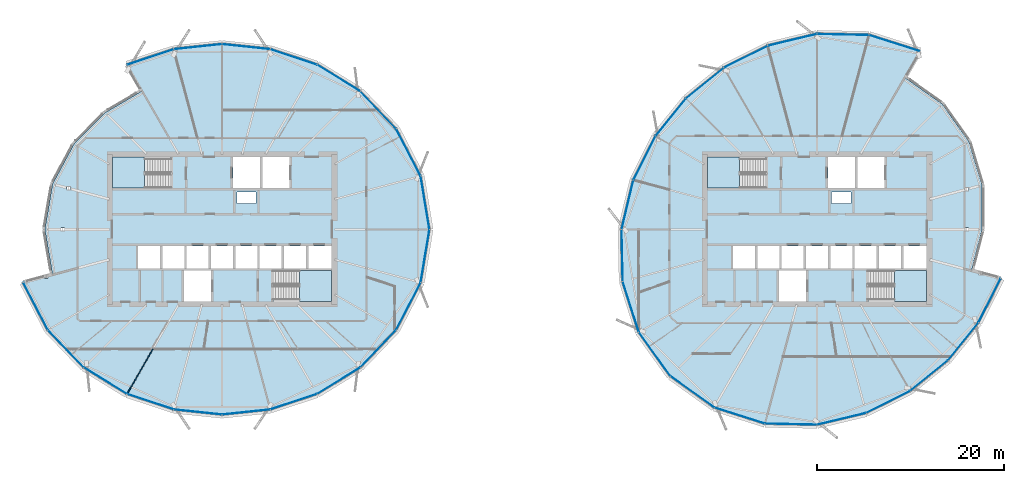
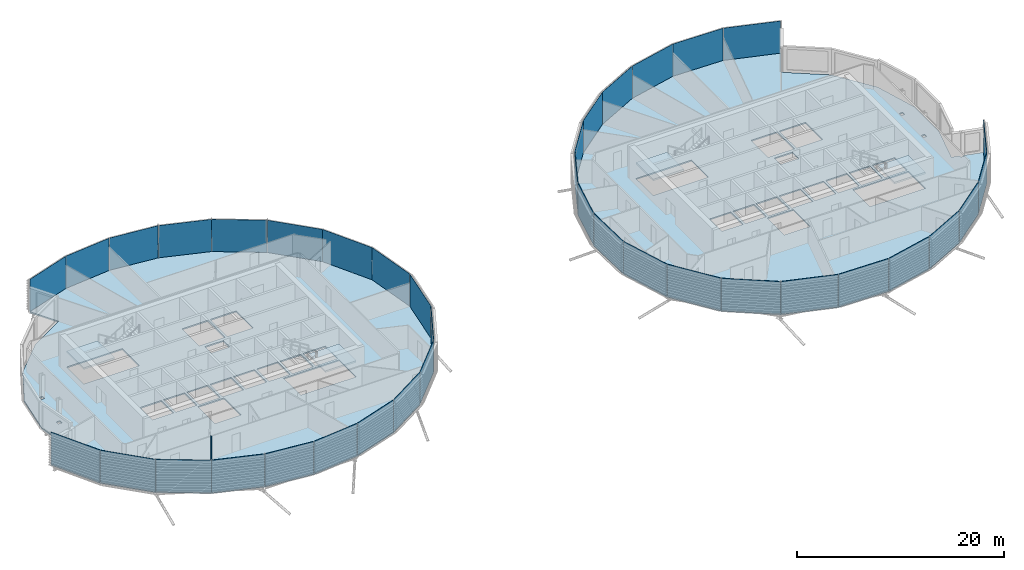
# One storey, part 17 of 37: 38 plates, 6 slabs, 1 wall, 6 elements without a shape of their own.
"""IFC4 building model written with IfcOpenShell, lengths in metres."""

import ifcopenshell
import ifcopenshell.guid

model = None  # the IFC model being written
_history = None  # IfcOwnerHistory: only IFC2X3 demands one
_inside = {}  # id of a spatial element -> (the spatial element, [elements in it])
_under = {}  # id of a project, library or spatial element -> (it, [spatial elements below it])
_declared = {}  # id of a project -> (the project, [libraries it declares])
_typed = {}  # id of a type object -> (the type object, [elements of that type])
_made_of = {}  # id of a material, layer set ... -> (it, [elements and type objects made of it])


def new_model(schema):
    """Start an empty IFC model of exactly this schema.

    Asked for "IFC4X3", IfcOpenShell would pick the latest addendum, in which some entities
    have other attributes; the version numbers below select the first issue.
    IFC2X3 requires an IfcOwnerHistory on every rooted entity: one is made here for all.
    """
    global model, _history
    if schema == "IFC4X3":
        model = ifcopenshell.file(schema_version=(4, 3, 0, 0))
    else:
        model = ifcopenshell.file(schema=schema)
    _inside.clear()
    _under.clear()
    _declared.clear()
    _typed.clear()
    _made_of.clear()
    _history = None
    if model.schema == "IFC2X3":
        org = make("IfcOrganization", Name="unknown")
        user = make(
            "IfcPersonAndOrganization",
            ThePerson=make("IfcPerson", FamilyName="unknown"),
            TheOrganization=org,
        )
        app = make(
            "IfcApplication",
            ApplicationDeveloper=org,
            Version="unknown",
            ApplicationFullName="unknown",
            ApplicationIdentifier="unknown",
        )
        _history = make(
            "IfcOwnerHistory",
            OwningUser=user,
            OwningApplication=app,
            ChangeAction="ADDED",
            CreationDate=0,
        )
    return model


def make(cls, **values):
    """One entity of the class cls with the attributes given. An attribute that is None is left unset."""
    return model.create_entity(
        cls, **{name: value for name, value in values.items() if value is not None}
    )


def rooted(cls, **values):
    """An entity with a GlobalId (a new one), such as an element, a storey or a relation."""
    return make(cls, GlobalId=ifcopenshell.guid.new(), OwnerHistory=_history, **values)


def si_unit(unit_type, name, prefix=None):
    """IfcSIUnit, for example si_unit("LENGTHUNIT", "METRE", prefix="MILLI")."""
    return make("IfcSIUnit", UnitType=unit_type, Prefix=prefix, Name=name)


def assignment(units):
    """IfcUnitAssignment: the units of a project."""
    return None if units is None else make("IfcUnitAssignment", Units=units)


def point(xyz):
    """IfcCartesianPoint."""
    return None if xyz is None else make("IfcCartesianPoint", Coordinates=xyz)


def direction(xyz):
    """IfcDirection."""
    return None if xyz is None else make("IfcDirection", DirectionRatios=xyz)


def frame(location, z_axis=None, x_axis=None):
    """IfcAxis2Placement3D, a coordinate frame: its origin and axes. An axis left out is left unset."""
    return make(
        "IfcAxis2Placement3D",
        Location=point(location),
        Axis=direction(z_axis),
        RefDirection=direction(x_axis),
    )


def frame_2d(location, x_axis=None):
    """IfcAxis2Placement2D, a coordinate frame in the plane: its origin and x axis."""
    return make(
        "IfcAxis2Placement2D", Location=point(location), RefDirection=direction(x_axis)
    )


def origin():
    """The frame at (0, 0, 0) with its axes left unset."""
    return frame((0.0, 0.0, 0.0))


def origin_2d():
    """The frame at (0, 0) in the plane with its x axis left unset."""
    return frame_2d((0.0, 0.0))


def place(relative_to, where):
    """IfcLocalPlacement: puts the frame where relative to a parent placement (None: the world)."""
    return make(
        "IfcLocalPlacement", PlacementRelTo=relative_to, RelativePlacement=where
    )


def context(
    kind, dimensions, precision=None, world=None, true_north=None, identifier=None
):
    """IfcGeometricRepresentationContext, for example the 3D "Model" context."""
    return make(
        "IfcGeometricRepresentationContext",
        ContextIdentifier=identifier,
        ContextType=kind,
        CoordinateSpaceDimension=dimensions,
        Precision=precision,
        WorldCoordinateSystem=world,
        TrueNorth=true_north,
    )


def subcontext(parent, identifier, kind, view, scale=None):
    """IfcGeometricRepresentationSubContext, for example "Body" below "Model"."""
    return make(
        "IfcGeometricRepresentationSubContext",
        ContextIdentifier=identifier,
        ContextType=kind,
        ParentContext=parent,
        TargetScale=scale,
        TargetView=view,
    )


def project(units=None, contexts=None):
    """IfcProject with its units and contexts."""
    return rooted(
        "IfcProject",
        Name="project",
        RepresentationContexts=contexts,
        UnitsInContext=assignment(units),
    )


def spatial(cls, under=None, at=None, **own):
    """A site, building, storey or space (cls), placed at a placement, below another one or the project."""
    s = rooted(cls, ObjectPlacement=at, **own)
    if under is not None:
        _under.setdefault(under.id(), (under, []))[1].append(s)
    return s


def polyline(points):
    """IfcPolyline through the points."""
    return make("IfcPolyline", Points=[point(p) for p in points])


def profile(cls, at=None, kind="AREA", **sizes):
    """A parametric profile (cls). Its sizes go by their IFC names, for example OverallWidth=200.0."""
    return make(cls, ProfileType=kind, Position=at, **sizes)


def rectangle(**sizes):
    """IfcRectangleProfileDef."""
    return profile("IfcRectangleProfileDef", **sizes)


def outline(outer, holes=None, kind="AREA"):
    """IfcArbitraryClosedProfileDef: a profile drawn as a closed curve; with holes, ...WithVoids."""
    if holes is None:
        return make("IfcArbitraryClosedProfileDef", ProfileType=kind, OuterCurve=outer)
    return make(
        "IfcArbitraryProfileDefWithVoids",
        ProfileType=kind,
        OuterCurve=outer,
        InnerCurves=holes,
    )


def extrude(swept, where, along, depth):
    """IfcExtrudedAreaSolid: the profile swept, set in the frame where, extruded along a direction by depth."""
    return make(
        "IfcExtrudedAreaSolid",
        SweptArea=swept,
        Position=where,
        ExtrudedDirection=direction(along),
        Depth=depth,
    )


def shape(context_of_items, identifier, shape_type, items):
    """IfcShapeRepresentation: the items that make up one representation, for example the "Body"."""
    return make(
        "IfcShapeRepresentation",
        ContextOfItems=context_of_items,
        RepresentationIdentifier=identifier,
        RepresentationType=shape_type,
        Items=items,
    )


def material(Name=None, Category=None):
    """IfcMaterial."""
    return make("IfcMaterial", Name=Name, Category=Category)


def layer(
    of_material, thickness, ventilated=None, Name=None, Category=None, Priority=None
):
    """IfcMaterialLayer: one layer of a wall or slab, of a material (None: an air gap)."""
    return make(
        "IfcMaterialLayer",
        Material=of_material,
        LayerThickness=thickness,
        IsVentilated=ventilated,
        Name=Name,
        Category=Category,
        Priority=Priority,
    )


def layer_set(layers, Name=None):
    """IfcMaterialLayerSet."""
    return make("IfcMaterialLayerSet", MaterialLayers=layers, LayerSetName=Name)


def made_of(thing, what):
    """Note that an element or type object is made of a material, layer set ...; save() writes the relation."""
    if what is not None:
        _made_of.setdefault(what.id(), (what, []))[1].append(thing)
    return thing


def type_object(cls, material=None, **own):
    """A type object (cls), such as IfcWallType, which elements share."""
    return made_of(rooted(cls, **own), material)


def element(
    cls,
    number,
    at=None,
    inside=None,
    cuts=None,
    type_object=None,
    material=None,
    context=None,
    identifier="Body",
    shape_type=None,
    held_by="IfcProductDefinitionShape",
    body=None,
    shapes=None,
    **own,
):
    """One element of the class cls, such as IfcWall. Its Tag is "e" and its number.

    at: its placement. inside: the storey or other place that contains it. cuts: it is an
    opening in that element (IfcRelVoidsElement). A single representation is given by context,
    identifier, shape_type and body (its items); several are given by shapes. held_by: the class
    of the entity that holds the representations. save() writes the other relations.
    """
    e = rooted(cls, Tag="e%d" % number, ObjectPlacement=at, **own)
    if body is not None:
        shapes = [shape(context, identifier, shape_type, body)]
    if shapes is not None:
        e.Representation = make(held_by, Representations=shapes)
    if inside is not None:
        _inside.setdefault(inside.id(), (inside, []))[1].append(e)
    if cuts is not None:
        rooted(
            "IfcRelVoidsElement", RelatingBuildingElement=cuts, RelatedOpeningElement=e
        )
    if type_object is not None:
        _typed.setdefault(type_object.id(), (type_object, []))[1].append(e)
    return made_of(e, material)


def aggregate(whole, parts):
    """IfcRelAggregates: a whole, such as a stair, and the parts it consists of."""
    return rooted("IfcRelAggregates", RelatingObject=whole, RelatedObjects=parts)


def save(model, path):
    """Write the relations noted so far, then the file.

    IfcRelAggregates (storeys below a building ...), IfcRelContainedInSpatialStructure (elements
    in a storey), IfcRelDefinesByType, IfcRelAssociatesMaterial and IfcRelDeclares: one each for
    every whole, place, type object, material and project.
    """
    for whole, parts in _under.values():
        aggregate(whole, parts)
    for where, things in _inside.values():
        rooted(
            "IfcRelContainedInSpatialStructure",
            RelatedElements=things,
            RelatingStructure=where,
        )
    for kind, things in _typed.values():
        rooted("IfcRelDefinesByType", RelatedObjects=things, RelatingType=kind)
    for what, things in _made_of.values():
        rooted("IfcRelAssociatesMaterial", RelatedObjects=things, RelatingMaterial=what)
    for by, libraries in _declared.values():
        rooted("IfcRelDeclares", RelatingContext=by, RelatedDefinitions=libraries)
    model.write(path)


model = new_model("IFC4")

# Units and contexts
model_context = context("Model", 3, precision=1e-05, world=origin(), true_north=direction((0.0, 1.0)))
body_context = subcontext(model_context, "Body", "Model", "MODEL_VIEW")
ifc_project = project(units=[si_unit("LENGTHUNIT", "METRE"), si_unit("AREAUNIT", "SQUARE_METRE"), si_unit("VOLUMEUNIT", "CUBIC_METRE"), si_unit("PLANEANGLEUNIT", "RADIAN"), si_unit("MASSUNIT", "GRAM", prefix="KILO")], contexts=[model_context])

# Site, building, storey
site_placement = place(None, origin())
site = spatial("IfcSite", under=ifc_project, at=site_placement, CompositionType="ELEMENT")
building_placement = place(site_placement, origin())
building = spatial("IfcBuilding", under=site, at=building_placement, Name="Rimbun Link Towers", CompositionType="ELEMENT")
storey_placement = place(building_placement, frame((0.0, 0.0, 177.89990234375)))
storey = spatial("IfcBuildingStorey", under=building, at=storey_placement, Name="L43", CompositionType="ELEMENT", Elevation=177.89990234375)

# Slabs
ifc_material_1 = material(Name="Concrete C35/45", Category="concrete")
ifc_layer_1 = layer(ifc_material_1, 0.14990234375)
ifc_layer_set_1 = layer_set([ifc_layer_1], Name="COMPOSITE FLOOR 150")
slab_type_1 = type_object("IfcSlabType", Name="COMPOSITE FLOOR 150", PredefinedType="FLOOR", material=ifc_layer_set_1)
slab_1_placement = place(storey_placement, frame((0.0, 0.0, -0.14990234375)))
element("IfcSlab", 1, at=slab_1_placement, inside=storey, type_object=slab_type_1, Name="Floor slab T1 L43", PredefinedType="FLOOR", context=body_context, shape_type="SweptSolid", body=[
    extrude(outline(polyline([(-49.843994140625, -4.848388671875), (-50.66845703125, 0.0), (-49.843994140625, 4.848388671875), (-47.55224609375, 9.12353515625), (-44.218505859375, 12.468505859375), (-40.28466796875, 14.7822265625), (-41.884521484375, 17.5537109375), (-36.896484375, 19.20654296875), (-31.75, 19.74853515625), (-26.603515625, 19.20654296875), (-21.615478515625, 17.5537109375), (-17.018798828125, 14.731201171875), (-13.176513671875, 10.723388671875), (-10.56494140625, 5.676513671875), (-9.631591796875, 0.0), (-10.56494140625, -5.676513671875), (-13.176513671875, -10.723388671875), (-17.018798828125, -14.731201171875), (-21.615478515625, -17.5537109375), (-26.603515625, -19.20654296875), (-31.75, -19.74853515625), (-36.896484375, -19.20654296875), (-41.884521484375, -17.5537109375), (-46.481201171875, -14.731201171875), (-50.323486328125, -10.723388671875), (-52.93505859375, -5.676513671875), (-50.7080078125, -5.079833984375), (-50.7080078125, -5.22314453125), (-50.30908203125, -5.22314453125), (-50.30908203125, -4.972900390625), (-49.843994140625, -4.848388671875)]), holes=[polyline([(-32.89990234375, -7.699951171875), (-32.89990234375, -4.39990234375), (-35.800048828125, -4.39990234375), (-35.800048828125, -7.699951171875), (-32.89990234375, -7.699951171875)]), polyline([(-38.361083984375, -4.14990234375), (-38.361083984375, -1.75), (-40.70556640625, -1.75), (-40.70556640625, -4.14990234375), (-38.361083984375, -4.14990234375)]), polyline([(-35.7666015625, -4.14990234375), (-35.7666015625, -1.75), (-38.111083984375, -1.75), (-38.111083984375, -4.14990234375), (-35.7666015625, -4.14990234375)]), polyline([(-33.172119140625, -4.14990234375), (-33.172119140625, -1.75), (-35.5166015625, -1.75), (-35.5166015625, -4.14990234375), (-33.172119140625, -4.14990234375)]), polyline([(-30.577880859375, -4.14990234375), (-30.577880859375, -1.75), (-32.922119140625, -1.75), (-32.922119140625, -4.14990234375), (-30.577880859375, -4.14990234375)]), polyline([(-48.555419921875, -0.19677734375), (-48.555419921875, 0.19677734375), (-48.954345703125, 0.19677734375), (-48.954345703125, -0.19677734375), (-48.555419921875, -0.19677734375)]), polyline([(-47.919677734375, 4.189208984375), (-47.919677734375, 4.5830078125), (-48.318603515625, 4.5830078125), (-48.318603515625, 4.189208984375), (-47.919677734375, 4.189208984375)]), polyline([(-37.260009765625, 4.39990234375), (-37.260009765625, 7.699951171875), (-43.449951171875, 7.699951171875), (-43.449951171875, 4.39990234375), (-37.260009765625, 4.39990234375)]), polyline([(-20.050048828125, -7.699951171875), (-20.050048828125, -4.39990234375), (-26.239990234375, -4.39990234375), (-26.239990234375, -7.699951171875), (-20.050048828125, -7.699951171875)]), polyline([(-27.9833984375, -4.14990234375), (-27.9833984375, -1.75), (-30.327880859375, -1.75), (-30.327880859375, -4.14990234375), (-27.9833984375, -4.14990234375)]), polyline([(-25.388916015625, -4.14990234375), (-25.388916015625, -1.75), (-27.7333984375, -1.75), (-27.7333984375, -4.14990234375), (-25.388916015625, -4.14990234375)]), polyline([(-22.79443359375, -4.14990234375), (-22.79443359375, -1.75), (-25.138916015625, -1.75), (-25.138916015625, -4.14990234375), (-22.79443359375, -4.14990234375)]), polyline([(-20.050048828125, -4.14990234375), (-20.050048828125, -1.75), (-22.54443359375, -1.75), (-22.54443359375, -4.14990234375), (-20.050048828125, -4.14990234375)]), polyline([(-30.177734375, 2.75), (-28.13330078125, 2.75), (-28.13330078125, 4.0), (-30.177734375, 4.0), (-30.177734375, 2.75)]), polyline([(-30.60009765625, 4.39990234375), (-27.699951171875, 4.39990234375), (-27.699951171875, 7.699951171875), (-30.60009765625, 7.699951171875), (-30.60009765625, 4.39990234375)]), polyline([(-27.449951171875, 4.39990234375), (-24.550048828125, 4.39990234375), (-24.550048828125, 7.699951171875), (-27.449951171875, 7.699951171875), (-27.449951171875, 4.39990234375)])]), origin(), (0.0, 0.0, 1.0), 0.14990234375),
])
slab_2_placement = place(storey_placement, frame((0.0, 0.0, -0.14990234375)))
element("IfcSlab", 2, at=slab_2_placement, inside=storey, type_object=slab_type_1, Name="Floor slab T2 L43", PredefinedType="FLOOR", context=body_context, shape_type="SweptSolid", body=[
    extrude(outline(polyline([(51.32861328125, -5.24609375), (48.97021484375, -9.942138671875), (45.71435546875, -13.96435546875), (41.692138671875, -17.22021484375), (36.99609375, -19.57861328125), (31.75, -20.8330078125), (26.19921875, -20.71630859375), (20.78369140625, -18.993896484375), (16.10986328125, -15.64013671875), (12.756103515625, -10.96630859375), (11.03369140625, -5.55078125), (10.9169921875, 0.0), (12.17138671875, 5.24609375), (14.52978515625, 9.942138671875), (17.78564453125, 13.96435546875), (21.807861328125, 17.22021484375), (26.50390625, 19.57861328125), (31.75, 20.8330078125), (37.30078125, 20.71630859375), (42.71630859375, 18.993896484375), (41.1162109375, 16.22265625), (45.12744140625, 13.37744140625), (47.97265625, 9.3662109375), (49.375244140625, 4.72265625), (49.383056640625, 0.0), (48.237548828125, -4.417724609375), (49.0244140625, -4.628662109375), (49.0244140625, -4.87890625), (49.42333984375, -4.87890625), (49.42333984375, -4.735595703125), (51.32861328125, -5.24609375)]), holes=[polyline([(30.60009765625, -7.699951171875), (30.60009765625, -4.39990234375), (27.699951171875, -4.39990234375), (27.699951171875, -7.699951171875), (30.60009765625, -7.699951171875)]), polyline([(25.138916015625, -4.14990234375), (25.138916015625, -1.75), (22.79443359375, -1.75), (22.79443359375, -4.14990234375), (25.138916015625, -4.14990234375)]), polyline([(27.7333984375, -4.14990234375), (27.7333984375, -1.75), (25.388916015625, -1.75), (25.388916015625, -4.14990234375), (27.7333984375, -4.14990234375)]), polyline([(30.327880859375, -4.14990234375), (30.327880859375, -1.75), (27.9833984375, -1.75), (27.9833984375, -4.14990234375), (30.327880859375, -4.14990234375)]), polyline([(32.922119140625, -4.14990234375), (32.922119140625, -1.75), (30.577880859375, -1.75), (30.577880859375, -4.14990234375), (32.922119140625, -4.14990234375)]), polyline([(35.5166015625, -4.14990234375), (35.5166015625, -1.75), (33.172119140625, -1.75), (33.172119140625, -4.14990234375), (35.5166015625, -4.14990234375)]), polyline([(33.322265625, 2.75), (35.36669921875, 2.75), (35.36669921875, 4.0), (33.322265625, 4.0), (33.322265625, 2.75)]), polyline([(26.239990234375, 4.39990234375), (26.239990234375, 7.699951171875), (20.050048828125, 7.699951171875), (20.050048828125, 4.39990234375), (26.239990234375, 4.39990234375)]), polyline([(35.800048828125, 4.39990234375), (35.800048828125, 7.699951171875), (32.89990234375, 7.699951171875), (32.89990234375, 4.39990234375), (35.800048828125, 4.39990234375)]), polyline([(43.449951171875, -7.699951171875), (43.449951171875, -4.39990234375), (37.260009765625, -4.39990234375), (37.260009765625, -7.699951171875), (43.449951171875, -7.699951171875)]), polyline([(38.111083984375, -4.14990234375), (38.111083984375, -1.75), (35.7666015625, -1.75), (35.7666015625, -4.14990234375), (38.111083984375, -4.14990234375)]), polyline([(40.70556640625, -4.14990234375), (40.70556640625, -1.75), (38.361083984375, -1.75), (38.361083984375, -4.14990234375), (40.70556640625, -4.14990234375)]), polyline([(43.449951171875, -4.14990234375), (43.449951171875, -1.75), (40.95556640625, -1.75), (40.95556640625, -4.14990234375), (43.449951171875, -4.14990234375)]), polyline([(47.927490234375, -0.19677734375), (47.927490234375, 0.19677734375), (47.5283203125, 0.19677734375), (47.5283203125, -0.19677734375), (47.927490234375, -0.19677734375)]), polyline([(47.544921875, 4.0888671875), (47.94384765625, 4.0888671875), (47.94384765625, 4.482421875), (47.544921875, 4.482421875), (47.544921875, 4.0888671875)]), polyline([(36.050048828125, 4.39990234375), (38.949951171875, 4.39990234375), (38.949951171875, 7.699951171875), (36.050048828125, 7.699951171875), (36.050048828125, 4.39990234375)])]), origin(), (0.0, 0.0, 1.0), 0.14990234375),
])

# Curtain wall, plates
ifc_material_2 = material(Name="Aluminium 6063-T6 and low-iron glass", Category="aluminium")
curtain_wall_type = type_object("IfcCurtainWallType", Name="CW1-Z3 unitised vision wall (zone 3)", PredefinedType="NOTDEFINED", material=ifc_material_2)
curtain_wall_1_placement = place(storey_placement, origin())
curtain_wall_1 = element("IfcCurtainWall", 3, at=curtain_wall_1_placement, inside=storey, type_object=curtain_wall_type, Name="CW1 L43 T1", PredefinedType="NOTDEFINED")
ifc_material_3 = material(Name="Low-iron glass, laminated low-e unit", Category="glass")
ifc_layer_2 = layer(ifc_material_3, 0.028076171875)
ifc_layer_set_2 = layer_set([ifc_layer_2], Name="CW1 panel Low-iron glass 28")
plate_type = type_object("IfcPlateType", Name="CW1 panel Low-iron glass 28", PredefinedType="CURTAIN_PANEL", material=ifc_layer_set_2)
plate_1_placement = place(storey_placement, frame((-10.08447265625, 2.840576171875, 0.0), z_axis=(0.0, 0.0, 1.0), x_axis=(0.162253435593, -0.986749118387, 0.0)))
plate_1 = element("IfcPlate", 4, at=plate_1_placement, type_object=plate_type, Name="CW1 panel", PredefinedType="CURTAIN_PANEL", context=body_context, shape_type="SweptSolid", body=[
    extrude(rectangle(XDim=5.712646484375, YDim=0.028076171875, at=origin_2d()), origin(), (0.0, 0.0, 1.0), 3.800048828125),
])
plate_2_placement = place(storey_placement, frame((-11.858154296875, 8.20654296875, 0.0), z_axis=(0.0, 0.0, 1.0), x_axis=(0.459559352042, -0.888147060993, 0.0)))
plate_2 = element("IfcPlate", 5, at=plate_2_placement, type_object=plate_type, Name="CW1 panel", PredefinedType="CURTAIN_PANEL", context=body_context, shape_type="SweptSolid", body=[
    extrude(rectangle(XDim=5.642578125, YDim=0.028076171875, at=origin_2d()), origin(), (0.0, 0.0, 1.0), 3.800048828125),
])
plate_3_placement = place(storey_placement, frame((-15.08740234375, 12.737060546875, 0.0), z_axis=(0.0, 0.0, 1.0), x_axis=(0.692045397695, -0.721853979368, 0.0)))
plate_3 = element("IfcPlate", 6, at=plate_3_placement, type_object=plate_type, Name="CW1 panel", PredefinedType="CURTAIN_PANEL", context=body_context, shape_type="SweptSolid", body=[
    extrude(rectangle(XDim=5.51220703125, YDim=0.028076171875, at=origin_2d()), origin(), (0.0, 0.0, 1.0), 3.800048828125),
])
plate_4_placement = place(storey_placement, frame((-19.309814453125, 16.154296875, 0.0), z_axis=(0.0, 0.0, 1.0), x_axis=(0.852190659368, -0.523231382934, 0.0)))
plate_4 = element("IfcPlate", 7, at=plate_4_placement, type_object=plate_type, Name="CW1 panel", PredefinedType="CURTAIN_PANEL", context=body_context, shape_type="SweptSolid", body=[
    extrude(rectangle(XDim=5.35400390625, YDim=0.028076171875, at=origin_2d()), origin(), (0.0, 0.0, 1.0), 3.800048828125),
])
plate_5_placement = place(storey_placement, frame((-24.10498046875, 18.393310546875, 0.0), z_axis=(0.0, 0.0, 1.0), x_axis=(0.949237499521, -0.314560279601, 0.0)))
plate_5 = element("IfcPlate", 8, at=plate_5_placement, type_object=plate_type, Name="CW1 panel", PredefinedType="CURTAIN_PANEL", context=body_context, shape_type="SweptSolid", body=[
    extrude(rectangle(XDim=5.21484375, YDim=0.028076171875, at=origin_2d()), origin(), (0.0, 0.0, 1.0), 3.800048828125),
])
plate_6_placement = place(storey_placement, frame((-29.17529296875, 19.491455078125, 0.0), z_axis=(0.0, 0.0, 1.0), x_axis=(0.994499945476, -0.104737092036, 0.0)))
plate_6 = element("IfcPlate", 9, at=plate_6_placement, type_object=plate_type, Name="CW1 panel", PredefinedType="CURTAIN_PANEL", context=body_context, shape_type="SweptSolid", body=[
    extrude(rectangle(XDim=5.134765625, YDim=0.028076171875, at=origin_2d()), origin(), (0.0, 0.0, 1.0), 3.800048828125),
])
plate_7_placement = place(storey_placement, frame((-34.32470703125, 19.491455078125, 0.0), z_axis=(0.0, 0.0, 1.0), x_axis=(0.994499945476, 0.104737092036, 0.0)))
plate_7 = element("IfcPlate", 10, at=plate_7_placement, type_object=plate_type, Name="CW1 panel", PredefinedType="CURTAIN_PANEL", context=body_context, shape_type="SweptSolid", body=[
    extrude(rectangle(XDim=5.134765625, YDim=0.028076171875, at=origin_2d()), origin(), (0.0, 0.0, 1.0), 3.800048828125),
])
plate_8_placement = place(storey_placement, frame((-39.39501953125, 18.393310546875, 0.0), z_axis=(0.0, 0.0, 1.0), x_axis=(0.949237499521, 0.314560279601, 0.0)))
plate_8 = element("IfcPlate", 11, at=plate_8_placement, type_object=plate_type, Name="CW1 panel", PredefinedType="CURTAIN_PANEL", context=body_context, shape_type="SweptSolid", body=[
    extrude(rectangle(XDim=5.21484375, YDim=0.028076171875, at=origin_2d()), origin(), (0.0, 0.0, 1.0), 3.800048828125),
])
plate_9_placement = place(storey_placement, frame((-51.641845703125, -8.20654296875, 0.0), z_axis=(0.0, 0.0, 1.0), x_axis=(-0.459559352042, 0.888147060993, 0.0)))
plate_9 = element("IfcPlate", 12, at=plate_9_placement, type_object=plate_type, Name="CW1 panel", PredefinedType="CURTAIN_PANEL", context=body_context, shape_type="SweptSolid", body=[
    extrude(rectangle(XDim=5.642578125, YDim=0.028076171875, at=origin_2d()), origin(), (0.0, 0.0, 1.0), 3.800048828125),
])
plate_10_placement = place(storey_placement, frame((-48.41259765625, -12.737060546875, 0.0), z_axis=(0.0, 0.0, 1.0), x_axis=(-0.692045397695, 0.721853979368, 0.0)))
plate_10 = element("IfcPlate", 13, at=plate_10_placement, type_object=plate_type, Name="CW1 panel", PredefinedType="CURTAIN_PANEL", context=body_context, shape_type="SweptSolid", body=[
    extrude(rectangle(XDim=5.51220703125, YDim=0.028076171875, at=origin_2d()), origin(), (0.0, 0.0, 1.0), 3.800048828125),
])
plate_11_placement = place(storey_placement, frame((-44.190185546875, -16.154296875, 0.0), z_axis=(0.0, 0.0, 1.0), x_axis=(-0.852190659368, 0.523231382934, 0.0)))
plate_11 = element("IfcPlate", 14, at=plate_11_placement, type_object=plate_type, Name="CW1 panel", PredefinedType="CURTAIN_PANEL", context=body_context, shape_type="SweptSolid", body=[
    extrude(rectangle(XDim=5.35400390625, YDim=0.028076171875, at=origin_2d()), origin(), (0.0, 0.0, 1.0), 3.800048828125),
])
plate_12_placement = place(storey_placement, frame((-39.39501953125, -18.393310546875, 0.0), z_axis=(0.0, 0.0, 1.0), x_axis=(-0.949237499521, 0.314560279601, 0.0)))
plate_12 = element("IfcPlate", 15, at=plate_12_placement, type_object=plate_type, Name="CW1 panel", PredefinedType="CURTAIN_PANEL", context=body_context, shape_type="SweptSolid", body=[
    extrude(rectangle(XDim=5.21484375, YDim=0.028076171875, at=origin_2d()), origin(), (0.0, 0.0, 1.0), 3.800048828125),
])
plate_13_placement = place(storey_placement, frame((-34.32470703125, -19.491455078125, 0.0), z_axis=(0.0, 0.0, 1.0), x_axis=(-0.994499945476, 0.104737092036, 0.0)))
plate_13 = element("IfcPlate", 16, at=plate_13_placement, type_object=plate_type, Name="CW1 panel", PredefinedType="CURTAIN_PANEL", context=body_context, shape_type="SweptSolid", body=[
    extrude(rectangle(XDim=5.134765625, YDim=0.028076171875, at=origin_2d()), origin(), (0.0, 0.0, 1.0), 3.800048828125),
])
plate_14_placement = place(storey_placement, frame((-29.17529296875, -19.491455078125, 0.0), z_axis=(0.0, 0.0, 1.0), x_axis=(-0.994499945476, -0.104737092036, 0.0)))
plate_14 = element("IfcPlate", 17, at=plate_14_placement, type_object=plate_type, Name="CW1 panel", PredefinedType="CURTAIN_PANEL", context=body_context, shape_type="SweptSolid", body=[
    extrude(rectangle(XDim=5.134765625, YDim=0.028076171875, at=origin_2d()), origin(), (0.0, 0.0, 1.0), 3.800048828125),
])
plate_15_placement = place(storey_placement, frame((-24.10498046875, -18.393310546875, 0.0), z_axis=(0.0, 0.0, 1.0), x_axis=(-0.949237499521, -0.314560279601, 0.0)))
plate_15 = element("IfcPlate", 18, at=plate_15_placement, type_object=plate_type, Name="CW1 panel", PredefinedType="CURTAIN_PANEL", context=body_context, shape_type="SweptSolid", body=[
    extrude(rectangle(XDim=5.21484375, YDim=0.028076171875, at=origin_2d()), origin(), (0.0, 0.0, 1.0), 3.800048828125),
])
plate_16_placement = place(storey_placement, frame((-19.309814453125, -16.154296875, 0.0), z_axis=(0.0, 0.0, 1.0), x_axis=(-0.852190659368, -0.523231382934, 0.0)))
plate_16 = element("IfcPlate", 19, at=plate_16_placement, type_object=plate_type, Name="CW1 panel", PredefinedType="CURTAIN_PANEL", context=body_context, shape_type="SweptSolid", body=[
    extrude(rectangle(XDim=5.35400390625, YDim=0.028076171875, at=origin_2d()), origin(), (0.0, 0.0, 1.0), 3.800048828125),
])
plate_17_placement = place(storey_placement, frame((-15.08740234375, -12.737060546875, 0.0), z_axis=(0.0, 0.0, 1.0), x_axis=(-0.692045397695, -0.721853979368, 0.0)))
plate_17 = element("IfcPlate", 20, at=plate_17_placement, type_object=plate_type, Name="CW1 panel", PredefinedType="CURTAIN_PANEL", context=body_context, shape_type="SweptSolid", body=[
    extrude(rectangle(XDim=5.51220703125, YDim=0.028076171875, at=origin_2d()), origin(), (0.0, 0.0, 1.0), 3.800048828125),
])
plate_18_placement = place(storey_placement, frame((-11.858154296875, -8.20654296875, 0.0), z_axis=(0.0, 0.0, 1.0), x_axis=(-0.459559352042, -0.888147060993, 0.0)))
plate_18 = element("IfcPlate", 21, at=plate_18_placement, type_object=plate_type, Name="CW1 panel", PredefinedType="CURTAIN_PANEL", context=body_context, shape_type="SweptSolid", body=[
    extrude(rectangle(XDim=5.642578125, YDim=0.028076171875, at=origin_2d()), origin(), (0.0, 0.0, 1.0), 3.800048828125),
])
plate_19_placement = place(storey_placement, frame((-10.08447265625, -2.840576171875, 0.0), z_axis=(0.0, 0.0, 1.0), x_axis=(-0.162253435593, -0.986749118387, 0.0)))
plate_19 = element("IfcPlate", 22, at=plate_19_placement, type_object=plate_type, Name="CW1 panel", PredefinedType="CURTAIN_PANEL", context=body_context, shape_type="SweptSolid", body=[
    extrude(rectangle(XDim=5.712646484375, YDim=0.028076171875, at=origin_2d()), origin(), (0.0, 0.0, 1.0), 3.800048828125),
])
aggregate(curtain_wall_1, [plate_1, plate_2, plate_3, plate_4, plate_5, plate_6, plate_7, plate_8, plate_9, plate_10, plate_11, plate_12, plate_13, plate_14, plate_15, plate_16, plate_17, plate_18, plate_19])

curtain_wall_2_placement = place(storey_placement, origin())
curtain_wall_2 = element("IfcCurtainWall", 23, at=curtain_wall_2_placement, inside=storey, type_object=curtain_wall_type, Name="CW1 L43 T2", PredefinedType="NOTDEFINED")
plate_20_placement = place(storey_placement, frame((40.0126953125, 19.868408203125, 0.0), z_axis=(0.0, 0.0, 1.0), x_axis=(0.952968988731, -0.303067824946, 0.0)))
plate_20 = element("IfcPlate", 24, at=plate_20_placement, type_object=plate_type, Name="CW1 panel", PredefinedType="CURTAIN_PANEL", context=body_context, shape_type="SweptSolid", body=[
    extrude(rectangle(XDim=5.642578125, YDim=0.028076171875, at=origin_2d()), origin(), (0.0, 0.0, 1.0), 3.800048828125),
])
plate_21_placement = place(storey_placement, frame((34.525634765625, 20.78857421875, 0.0), z_axis=(0.0, 0.0, 1.0), x_axis=(0.999778319348, -0.021054979477, 0.0)))
plate_21 = element("IfcPlate", 25, at=plate_21_placement, type_object=plate_type, Name="CW1 panel", PredefinedType="CURTAIN_PANEL", context=body_context, shape_type="SweptSolid", body=[
    extrude(rectangle(XDim=5.51220703125, YDim=0.028076171875, at=origin_2d()), origin(), (0.0, 0.0, 1.0), 3.800048828125),
])
plate_22_placement = place(storey_placement, frame((29.123779296875, 20.219482421875, 0.0), z_axis=(0.0, 0.0, 1.0), x_axis=(0.972573786264, 0.232594562001, 0.0)))
plate_22 = element("IfcPlate", 26, at=plate_22_placement, type_object=plate_type, Name="CW1 panel", PredefinedType="CURTAIN_PANEL", context=body_context, shape_type="SweptSolid", body=[
    extrude(rectangle(XDim=5.35400390625, YDim=0.028076171875, at=origin_2d()), origin(), (0.0, 0.0, 1.0), 3.800048828125),
])
plate_23_placement = place(storey_placement, frame((24.149658203125, 18.411865234375, 0.0), z_axis=(0.0, 0.0, 1.0), x_axis=(0.893645619235, 0.44877333613, 0.0)))
plate_23 = element("IfcPlate", 27, at=plate_23_placement, type_object=plate_type, Name="CW1 panel", PredefinedType="CURTAIN_PANEL", context=body_context, shape_type="SweptSolid", body=[
    extrude(rectangle(XDim=5.215087890625, YDim=0.028076171875, at=origin_2d()), origin(), (0.0, 0.0, 1.0), 3.800048828125),
])
plate_24_placement = place(storey_placement, frame((19.787841796875, 15.603271484375, 0.0), z_axis=(0.0, 0.0, 1.0), x_axis=(0.777277720811, 0.629157646962, 0.0)))
plate_24 = element("IfcPlate", 28, at=plate_24_placement, type_object=plate_type, Name="CW1 panel", PredefinedType="CURTAIN_PANEL", context=body_context, shape_type="SweptSolid", body=[
    extrude(rectangle(XDim=5.134765625, YDim=0.028076171875, at=origin_2d()), origin(), (0.0, 0.0, 1.0), 3.800048828125),
])
plate_25_placement = place(storey_placement, frame((16.146728515625, 11.962158203125, 0.0), z_axis=(0.0, 0.0, 1.0), x_axis=(0.629157646962, 0.777277720811, 0.0)))
plate_25 = element("IfcPlate", 29, at=plate_25_placement, type_object=plate_type, Name="CW1 panel", PredefinedType="CURTAIN_PANEL", context=body_context, shape_type="SweptSolid", body=[
    extrude(rectangle(XDim=5.134765625, YDim=0.028076171875, at=origin_2d()), origin(), (0.0, 0.0, 1.0), 3.800048828125),
])
plate_26_placement = place(storey_placement, frame((13.338134765625, 7.600341796875, 0.0), z_axis=(0.0, 0.0, 1.0), x_axis=(0.44877333613, 0.893645619235, 0.0)))
plate_26 = element("IfcPlate", 30, at=plate_26_placement, type_object=plate_type, Name="CW1 panel", PredefinedType="CURTAIN_PANEL", context=body_context, shape_type="SweptSolid", body=[
    extrude(rectangle(XDim=5.215087890625, YDim=0.028076171875, at=origin_2d()), origin(), (0.0, 0.0, 1.0), 3.800048828125),
])
plate_27_placement = place(storey_placement, frame((11.530517578125, 2.626220703125, 0.0), z_axis=(0.0, 0.0, 1.0), x_axis=(0.232594562001, 0.972573786264, 0.0)))
plate_27 = element("IfcPlate", 31, at=plate_27_placement, type_object=plate_type, Name="CW1 panel", PredefinedType="CURTAIN_PANEL", context=body_context, shape_type="SweptSolid", body=[
    extrude(rectangle(XDim=5.35400390625, YDim=0.028076171875, at=origin_2d()), origin(), (0.0, 0.0, 1.0), 3.800048828125),
])
plate_28_placement = place(storey_placement, frame((10.96142578125, -2.775634765625, 0.0), z_axis=(0.0, 0.0, 1.0), x_axis=(-0.021054979477, 0.999778319348, 0.0)))
plate_28 = element("IfcPlate", 32, at=plate_28_placement, type_object=plate_type, Name="CW1 panel", PredefinedType="CURTAIN_PANEL", context=body_context, shape_type="SweptSolid", body=[
    extrude(rectangle(XDim=5.51220703125, YDim=0.028076171875, at=origin_2d()), origin(), (0.0, 0.0, 1.0), 3.800048828125),
])
plate_29_placement = place(storey_placement, frame((11.881591796875, -8.2626953125, 0.0), z_axis=(0.0, 0.0, 1.0), x_axis=(-0.303067824946, 0.952968988731, 0.0)))
plate_29 = element("IfcPlate", 33, at=plate_29_placement, type_object=plate_type, Name="CW1 panel", PredefinedType="CURTAIN_PANEL", context=body_context, shape_type="SweptSolid", body=[
    extrude(rectangle(XDim=5.642578125, YDim=0.028076171875, at=origin_2d()), origin(), (0.0, 0.0, 1.0), 3.800048828125),
])
plate_30_placement = place(storey_placement, frame((14.421630859375, -13.311279296875, 0.0), z_axis=(0.0, 0.0, 1.0), x_axis=(-0.583009413827, 0.812465398272, 0.0)))
plate_30 = element("IfcPlate", 34, at=plate_30_placement, type_object=plate_type, Name="CW1 panel", PredefinedType="CURTAIN_PANEL", context=body_context, shape_type="SweptSolid", body=[
    extrude(rectangle(XDim=5.712646484375, YDim=0.028076171875, at=origin_2d()), origin(), (0.0, 0.0, 1.0), 3.800048828125),
])
plate_31_placement = place(storey_placement, frame((18.438720703125, -17.328369140625, 0.0), z_axis=(0.0, 0.0, 1.0), x_axis=(-0.812465398272, 0.583009413827, 0.0)))
plate_31 = element("IfcPlate", 35, at=plate_31_placement, type_object=plate_type, Name="CW1 panel", PredefinedType="CURTAIN_PANEL", context=body_context, shape_type="SweptSolid", body=[
    extrude(rectangle(XDim=5.712646484375, YDim=0.028076171875, at=origin_2d()), origin(), (0.0, 0.0, 1.0), 3.800048828125),
])
plate_32_placement = place(storey_placement, frame((23.4873046875, -19.868408203125, 0.0), z_axis=(0.0, 0.0, 1.0), x_axis=(-0.952968988731, 0.303067824946, 0.0)))
plate_32 = element("IfcPlate", 36, at=plate_32_placement, type_object=plate_type, Name="CW1 panel", PredefinedType="CURTAIN_PANEL", context=body_context, shape_type="SweptSolid", body=[
    extrude(rectangle(XDim=5.642578125, YDim=0.028076171875, at=origin_2d()), origin(), (0.0, 0.0, 1.0), 3.800048828125),
])
plate_33_placement = place(storey_placement, frame((28.974365234375, -20.78857421875, 0.0), z_axis=(0.0, 0.0, 1.0), x_axis=(-0.999778319348, 0.021054979477, 0.0)))
plate_33 = element("IfcPlate", 37, at=plate_33_placement, type_object=plate_type, Name="CW1 panel", PredefinedType="CURTAIN_PANEL", context=body_context, shape_type="SweptSolid", body=[
    extrude(rectangle(XDim=5.51220703125, YDim=0.028076171875, at=origin_2d()), origin(), (0.0, 0.0, 1.0), 3.800048828125),
])
plate_34_placement = place(storey_placement, frame((34.376220703125, -20.219482421875, 0.0), z_axis=(0.0, 0.0, 1.0), x_axis=(-0.972573786264, -0.232594562001, 0.0)))
plate_34 = element("IfcPlate", 38, at=plate_34_placement, type_object=plate_type, Name="CW1 panel", PredefinedType="CURTAIN_PANEL", context=body_context, shape_type="SweptSolid", body=[
    extrude(rectangle(XDim=5.35400390625, YDim=0.028076171875, at=origin_2d()), origin(), (0.0, 0.0, 1.0), 3.800048828125),
])
plate_35_placement = place(storey_placement, frame((39.350341796875, -18.411865234375, 0.0), z_axis=(0.0, 0.0, 1.0), x_axis=(-0.893645619235, -0.44877333613, 0.0)))
plate_35 = element("IfcPlate", 39, at=plate_35_placement, type_object=plate_type, Name="CW1 panel", PredefinedType="CURTAIN_PANEL", context=body_context, shape_type="SweptSolid", body=[
    extrude(rectangle(XDim=5.215087890625, YDim=0.028076171875, at=origin_2d()), origin(), (0.0, 0.0, 1.0), 3.800048828125),
])
plate_36_placement = place(storey_placement, frame((43.712158203125, -15.603271484375, 0.0), z_axis=(0.0, 0.0, 1.0), x_axis=(-0.777277720811, -0.629157646962, 0.0)))
plate_36 = element("IfcPlate", 40, at=plate_36_placement, type_object=plate_type, Name="CW1 panel", PredefinedType="CURTAIN_PANEL", context=body_context, shape_type="SweptSolid", body=[
    extrude(rectangle(XDim=5.134765625, YDim=0.028076171875, at=origin_2d()), origin(), (0.0, 0.0, 1.0), 3.800048828125),
])
plate_37_placement = place(storey_placement, frame((47.353271484375, -11.962158203125, 0.0), z_axis=(0.0, 0.0, 1.0), x_axis=(-0.629157646962, -0.777277720811, 0.0)))
plate_37 = element("IfcPlate", 41, at=plate_37_placement, type_object=plate_type, Name="CW1 panel", PredefinedType="CURTAIN_PANEL", context=body_context, shape_type="SweptSolid", body=[
    extrude(rectangle(XDim=5.134765625, YDim=0.028076171875, at=origin_2d()), origin(), (0.0, 0.0, 1.0), 3.800048828125),
])
plate_38_placement = place(storey_placement, frame((50.161865234375, -7.600341796875, 0.0), z_axis=(0.0, 0.0, 1.0), x_axis=(-0.44877333613, -0.893645619235, 0.0)))
plate_38 = element("IfcPlate", 42, at=plate_38_placement, type_object=plate_type, Name="CW1 panel", PredefinedType="CURTAIN_PANEL", context=body_context, shape_type="SweptSolid", body=[
    extrude(rectangle(XDim=5.215087890625, YDim=0.028076171875, at=origin_2d()), origin(), (0.0, 0.0, 1.0), 3.800048828125),
])
aggregate(curtain_wall_2, [plate_20, plate_21, plate_22, plate_23, plate_24, plate_25, plate_26, plate_27, plate_28, plate_29, plate_30, plate_31, plate_32, plate_33, plate_34, plate_35, plate_36, plate_37, plate_38])

# Stair, slab
ifc_material_4 = material(Name="Concrete C40/50", Category="concrete")
stair_type = type_object("IfcStairType", Name="Exit stair 3800 rise", PredefinedType="HALF_TURN_STAIR", material=ifc_material_4)
stair_1_placement = place(storey_placement, origin())
stair_1 = element("IfcStair", 43, at=stair_1_placement, inside=storey, type_object=stair_type, Name="L43 EXIT STAIR A", PredefinedType="HALF_TURN_STAIR")
ifc_material_5 = material(Name="Concrete C40/50", Category="concrete")
ifc_layer_3 = layer(ifc_material_5, 0.199951171875)
ifc_layer_set_3 = layer_set([ifc_layer_3], Name="Stair landing")
slab_type_2 = type_object("IfcSlabType", Name="Stair landing", PredefinedType="LANDING", material=ifc_layer_set_3)
slab_3_placement = place(storey_placement, frame((0.0, 0.0, 1.7001953125)))
slab_3 = element("IfcSlab", 44, at=slab_3_placement, type_object=slab_type_2, Name="ST1 landing 1", PredefinedType="LANDING", context=body_context, shape_type="SweptSolid", body=[
    extrude(outline(polyline([(-40.0, 7.699951171875), (-43.449951171875, 7.699951171875), (-43.449951171875, 4.39990234375), (-40.0, 4.39990234375), (-40.0, 7.699951171875)])), origin(), (0.0, 0.0, 1.0), 0.199951171875),
])
aggregate(stair_1, [slab_3])

stair_2_placement = place(storey_placement, origin())
stair_2 = element("IfcStair", 45, at=stair_2_placement, inside=storey, type_object=stair_type, Name="L43 EXIT STAIR B", PredefinedType="HALF_TURN_STAIR")
slab_4_placement = place(storey_placement, frame((0.0, 0.0, 1.7001953125)))
slab_4 = element("IfcSlab", 46, at=slab_4_placement, type_object=slab_type_2, Name="ST2 landing 1", PredefinedType="LANDING", context=body_context, shape_type="SweptSolid", body=[
    extrude(outline(polyline([(-23.5, -7.699951171875), (-20.050048828125, -7.699951171875), (-20.050048828125, -4.39990234375), (-23.5, -4.39990234375), (-23.5, -7.699951171875)])), origin(), (0.0, 0.0, 1.0), 0.199951171875),
])
aggregate(stair_2, [slab_4])

stair_3_placement = place(storey_placement, origin())
stair_3 = element("IfcStair", 47, at=stair_3_placement, inside=storey, type_object=stair_type, Name="L43 EXIT STAIR A", PredefinedType="HALF_TURN_STAIR")
slab_5_placement = place(storey_placement, frame((0.0, 0.0, 1.7001953125)))
slab_5 = element("IfcSlab", 48, at=slab_5_placement, type_object=slab_type_2, Name="ST3 landing 1", PredefinedType="LANDING", context=body_context, shape_type="SweptSolid", body=[
    extrude(outline(polyline([(23.5, 7.699951171875), (20.050048828125, 7.699951171875), (20.050048828125, 4.39990234375), (23.5, 4.39990234375), (23.5, 7.699951171875)])), origin(), (0.0, 0.0, 1.0), 0.199951171875),
])
aggregate(stair_3, [slab_5])

stair_4_placement = place(storey_placement, origin())
stair_4 = element("IfcStair", 49, at=stair_4_placement, inside=storey, type_object=stair_type, Name="L43 EXIT STAIR B", PredefinedType="HALF_TURN_STAIR")
slab_6_placement = place(storey_placement, frame((0.0, 0.0, 1.7001953125)))
slab_6 = element("IfcSlab", 50, at=slab_6_placement, type_object=slab_type_2, Name="ST4 landing 1", PredefinedType="LANDING", context=body_context, shape_type="SweptSolid", body=[
    extrude(outline(polyline([(40.0, -7.699951171875), (43.449951171875, -7.699951171875), (43.449951171875, -4.39990234375), (40.0, -4.39990234375), (40.0, -7.699951171875)])), origin(), (0.0, 0.0, 1.0), 0.199951171875),
])
aggregate(stair_4, [slab_6])

# Wall
ifc_material_6 = material(Name="Plasterboard on steel stud", Category="steel")
ifc_layer_4 = layer(ifc_material_6, 0.10009765625)
ifc_layer_set_4 = layer_set([ifc_layer_4], Name="Plasterboard partition 100 mm")
wall_type = type_object("IfcWallType", Name="Plasterboard partition 100 mm", PredefinedType="PARTITIONING", material=ifc_layer_set_4)
wall_placement = place(storey_placement, frame((-41.884521484375, -17.5537109375, 0.0), z_axis=(0.0, 0.0, 1.0), x_axis=(0.499965018551, 0.866045599391, 0.0)))
element("IfcWall", 51, at=wall_placement, inside=storey, type_object=wall_type, Name="Plasterboard partition 100 mm", PredefinedType="PARTITIONING", context=body_context, shape_type="SweptSolid", body=[
    extrude(rectangle(XDim=5.51806640625, YDim=0.10009765625, at=frame_2d((2.759033203125, 0.0))), origin(), (0.0, 0.0, 1.0), 2.7890625),
])

save(model, "model.ifc")
